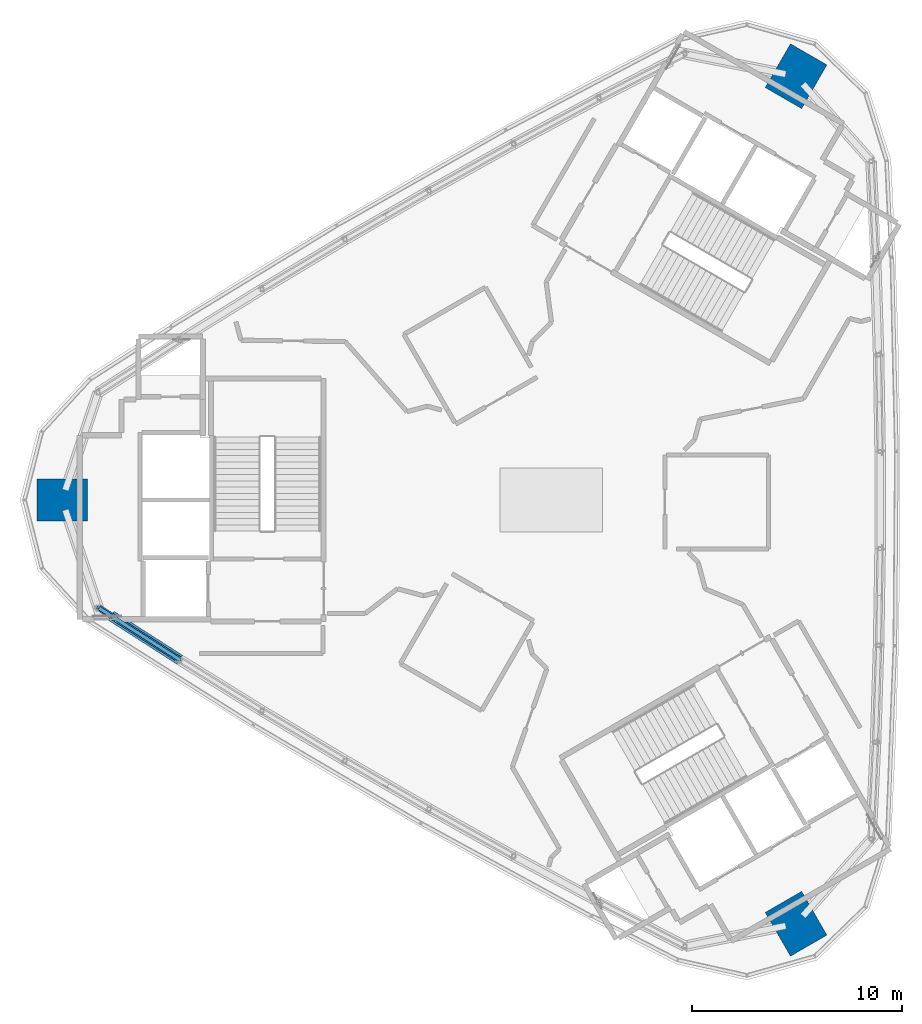
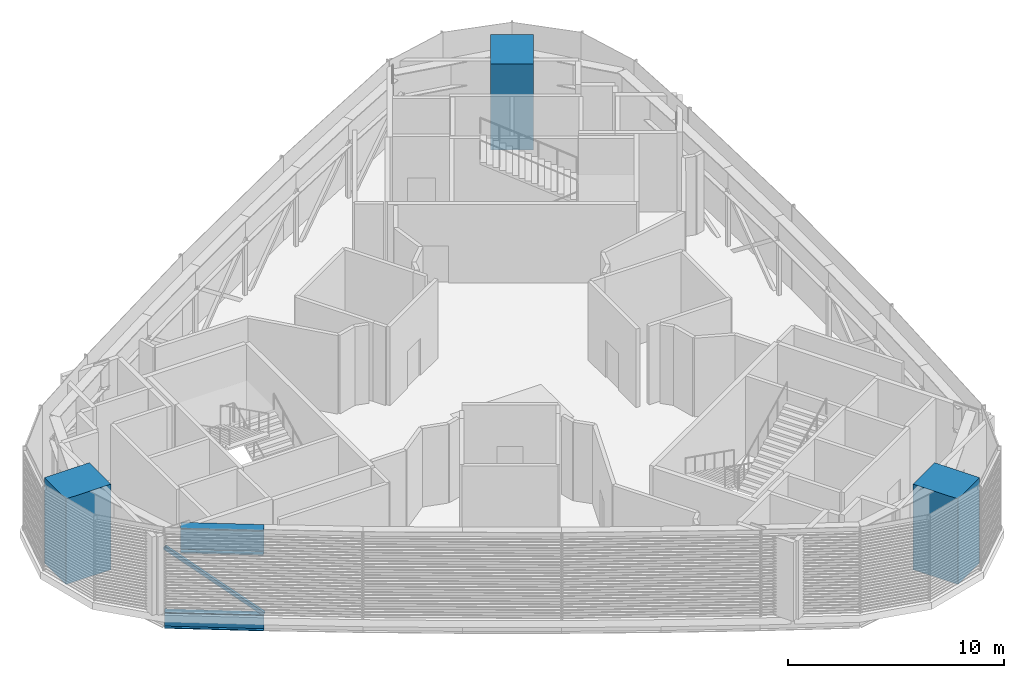
# One storey, part 1 of 21: 3 columns, 2 beams, 1 member.
"""IFC4 building model written with IfcOpenShell, lengths in metres."""

from ifc_helpers import new_model, si_unit, direction, frame, origin, origin_2d, place, context, subcontext, project, spatial, rectangle, hollow_rectangle, i_section, extrude, material, material_profile, profile_set, type_object, element, save


model = new_model("IFC4")

# Units and contexts
model_context = context("Model", 3, precision=1e-05, world=origin(), true_north=direction((0.0, 1.0)))
body_context = subcontext(model_context, "Body", "Model", "MODEL_VIEW")
ifc_project = project(units=[si_unit("LENGTHUNIT", "METRE"), si_unit("AREAUNIT", "SQUARE_METRE"), si_unit("VOLUMEUNIT", "CUBIC_METRE"), si_unit("PLANEANGLEUNIT", "RADIAN"), si_unit("MASSUNIT", "GRAM", prefix="KILO")], contexts=[model_context])

# Site, building, storey
site_placement = place(None, origin())
site = spatial("IfcSite", under=ifc_project, at=site_placement, CompositionType="ELEMENT")
building_placement = place(site_placement, origin())
building = spatial("IfcBuilding", under=site, at=building_placement, Name="Tamra Quay Hotel Tower", CompositionType="ELEMENT")
storey_placement = place(building_placement, frame((0.0, 0.0, 301.800048828125)))
storey = spatial("IfcBuildingStorey", under=building, at=storey_placement, Name="L76", CompositionType="ELEMENT", Elevation=301.800048828125)

# Columns
ifc_material_1 = material(Name="Concrete M70", Category="concrete")
ifc_material_profile_1 = material_profile(ifc_material_1, rectangle(XDim=2.39990234375, YDim=2.0, at=origin_2d()), Name="MEGA COLUMN RC 2000x2400 Z6 BELT")
ifc_profile_set_1 = profile_set([ifc_material_profile_1], Name="Concrete M70")
column_type = type_object("IfcColumnType", Name="MEGA COLUMN RC 2000x2400 Z6 BELT", PredefinedType="COLUMN", material=ifc_profile_set_1)
for number, where, z_axis, x_axis, name in (
    (1, (11.63671875, 20.1552734375, -0.400146484375), (0.0, 0.0, 1.0), (0.5, 0.866025403784, 0.0), "COL-MR6NE-L76"),
    (2, (-23.2734375, 0.0, -0.400146484375), (0.0, 0.0, 1.0), (1.0, 0.0, 0.0), "COL-MR6W-L76"),
    (3, (11.63671875, -20.1552734375, -0.400146484375), (0.0, 0.0, 1.0), (-0.5, 0.866025403784, 0.0), "COL-MR6SE-L76"),
):
    element("IfcColumn", number, at=place(storey_placement, frame(where, z_axis=z_axis, x_axis=x_axis)), inside=storey, type_object=column_type, Name=name, PredefinedType="COLUMN", context=body_context, shape_type="SweptSolid", body=[
        extrude(rectangle(XDim=2.39990234375, YDim=2.0, at=origin_2d()), origin(), (0.0, 0.0, 1.0), 4.85009765625),
    ])

# Member
ifc_material_2 = material(Name="Structural steel IS 2062 E350", Category="steel")
ifc_material_profile_2 = material_profile(ifc_material_2, hollow_rectangle(XDim=0.179931640625, YDim=0.179931640625, WallThickness=0.008056640625, at=origin_2d()), Name="SHS 180x180x8")
ifc_profile_set_2 = profile_set([ifc_material_profile_2], Name="Structural steel IS 2062 E350")
member_type = type_object("IfcMemberType", Name="BELT BRACE SHS 180x180x8 Z6", PredefinedType="BRACE", material=ifc_profile_set_2)
member_placement = place(storey_placement, frame((-17.681396484375, -7.594970703125, -0.400146484375), z_axis=(-0.663191844458, 0.425466673163, 0.615755379573), x_axis=(-0.539975237553, -0.841680903211, 0.0)))
element("IfcMember", 4, at=member_placement, inside=storey, type_object=member_type, Name="BR-L76-033", PredefinedType="BRACE", context=body_context, shape_type="SweptSolid", body=[
    extrude(hollow_rectangle(XDim=0.179931640625, YDim=0.179931640625, WallThickness=0.008056640625, at=origin_2d()), origin(), (0.0, 0.0, 1.0), 5.8466796875),
])

# Beams
ifc_material_profile_3 = material_profile(ifc_material_2, i_section(OverallWidth=0.302001953125, OverallDepth=0.909912109375, WebThickness=0.027099609375, FlangeThickness=0.0400390625, at=origin_2d()), Name="WPB 900x300x333")
ifc_profile_set_3 = profile_set([ifc_material_profile_3], Name="Structural steel IS 2062 E350")
beam_type_1 = type_object("IfcBeamType", Name="BELT CHORD WPB 900x300x333 Z6", PredefinedType="BEAM", material=ifc_profile_set_3)
beam_1_placement = place(storey_placement, frame((-21.558837890625, -5.107421875, -0.85498046875), z_axis=(0.841680903211, -0.539975237553, 0.0), x_axis=(0.539975237553, 0.841680903211, 0.0)))
element("IfcBeam", 5, at=beam_1_placement, inside=storey, type_object=beam_type_1, Name="BM-CHB-L76-018", PredefinedType="BEAM", context=body_context, shape_type="SweptSolid", body=[
    extrude(i_section(OverallWidth=0.302001953125, OverallDepth=0.909912109375, WebThickness=0.027099609375, FlangeThickness=0.0400390625, at=origin_2d()), origin(), (0.0, 0.0, 1.0), 4.606689453125),
])
ifc_material_profile_4 = material_profile(ifc_material_2, i_section(OverallWidth=0.5, OverallDepth=1.39990234375, WebThickness=0.02490234375, FlangeThickness=0.050048828125, at=origin_2d()), Name="WPG 1400x500x25x50")
ifc_profile_set_4 = profile_set([ifc_material_profile_4], Name="Structural steel IS 2062 E350")
beam_type_2 = type_object("IfcBeamType", Name="BELT TOP CHORD WPG 1400x500x25x50 Z6", PredefinedType="USERDEFINED", material=ifc_profile_set_4)
beam_2_placement = place(storey_placement, frame((-20.93115234375, -5.510009765625, 3.75), z_axis=(0.84166913977, -0.539993573258, 0.0), x_axis=(0.539993573258, 0.84166913977, 0.0)))
element("IfcBeam", 6, at=beam_2_placement, inside=storey, type_object=beam_type_2, Name="BM-CHT-L76-018", ObjectType="TRANSFER GIRDER", PredefinedType="USERDEFINED", context=body_context, shape_type="SweptSolid", body=[
    extrude(i_section(OverallWidth=0.5, OverallDepth=1.39990234375, WebThickness=0.02490234375, FlangeThickness=0.050048828125, at=origin_2d()), origin(), (0.0, 0.0, 1.0), 3.861083984375),
])

save(model, "model.ifc")
